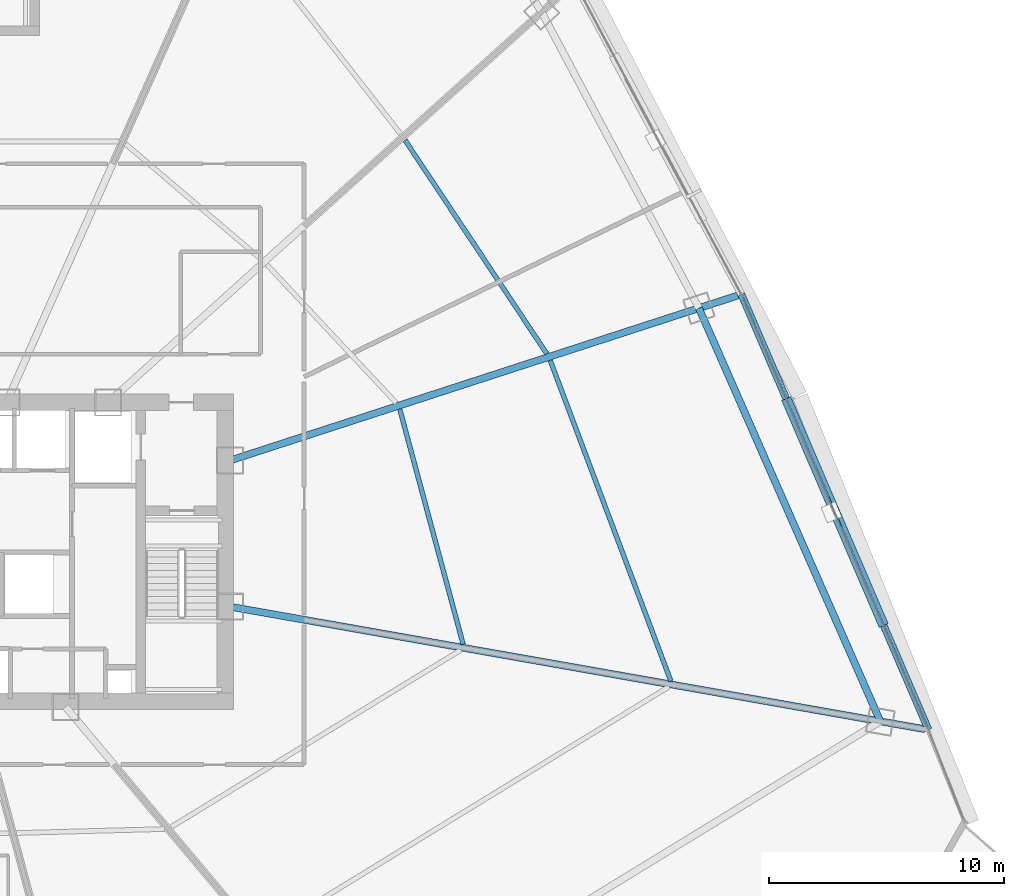
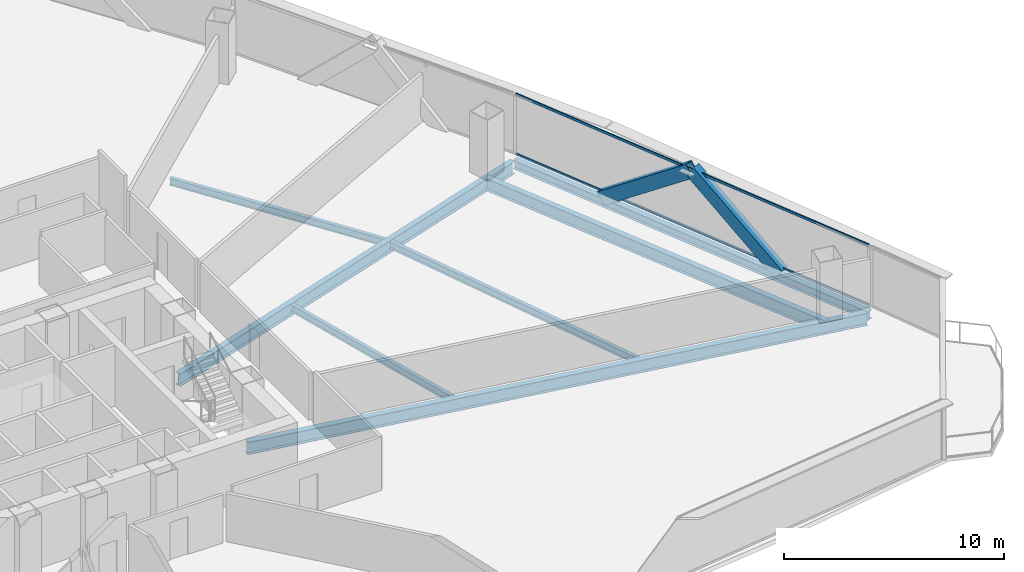
# One storey, part 22 of 38: 7 beams, 4 members, 1 element without a shape of its own.
"""IFC4 building model written with IfcOpenShell, lengths in metres."""

from ifc_helpers import new_model, si_unit, direction, frame, origin, origin_2d, place, context, subcontext, project, spatial, hollow_rectangle, i_section, extrude, source, transform, mapped, material, layer, layer_set, material_profile, profile_set, type_object, element, aggregate, save


model = new_model("IFC4")

# Units and contexts
model_context = context("Model", 3, precision=1e-05, world=origin(), true_north=direction((0.0, 1.0)))
body_context = subcontext(model_context, "Body", "Model", "MODEL_VIEW")
ifc_project = project(units=[si_unit("LENGTHUNIT", "METRE"), si_unit("AREAUNIT", "SQUARE_METRE"), si_unit("VOLUMEUNIT", "CUBIC_METRE"), si_unit("PLANEANGLEUNIT", "RADIAN"), si_unit("MASSUNIT", "GRAM", prefix="KILO"), si_unit("THERMODYNAMICTEMPERATUREUNIT", "KELVIN"), si_unit("POWERUNIT", "WATT")], contexts=[model_context])

# Site, building, storey
site_placement = place(None, origin())
site = spatial("IfcSite", under=ifc_project, at=site_placement, CompositionType="ELEMENT")
building_placement = place(site_placement, origin())
building = spatial("IfcBuilding", under=site, at=building_placement, Name="Yunzhuo Pagoda Commons", CompositionType="ELEMENT")
storey_placement = place(building_placement, frame((0.0, 0.0, 37.659912109375)))
storey = spatial("IfcBuildingStorey", under=building, at=storey_placement, Name="L09", CompositionType="ELEMENT", Elevation=37.659912109375)

# Beams
ifc_material_1 = material(Name="Structural steel Q355B", Category="steel")
ifc_material_profile_1 = material_profile(ifc_material_1, i_section(OverallWidth=0.300048828125, OverallDepth=0.699951171875, WebThickness=0.012939453125, FlangeThickness=0.02392578125, at=origin_2d()), Name="Structural steel Q355B")
ifc_profile_set_1 = profile_set([ifc_material_profile_1], Name="Structural steel Q355B")
beam_type_1 = type_object("IfcBeamType", Name="B-RG1 Beam HN 700x300x13x24", PredefinedType="BEAM", material=ifc_profile_set_1)
shared_shape_1 = source(origin(), body_context, "Body", "SweptSolid", [
    extrude(i_section(OverallWidth=0.300048828125, OverallDepth=0.699951171875, WebThickness=0.012939453125, FlangeThickness=0.02392578125, at=origin_2d()), origin(), (0.0, 0.0, 1.0), 19.18603515625),
])
beam_1_placement = place(storey_placement, frame((88.047607421875, 26.638427734375, -0.60986328125), z_axis=(-0.40196534204, 0.915654882474, 0.0), x_axis=(-0.915654882474, -0.40196534204, 0.0)))
element("IfcBeam", 1, at=beam_1_placement, inside=storey, type_object=beam_type_1, Name="L09 column-ring beam 5", PredefinedType="BEAM", context=body_context, shape_type="MappedRepresentation", body=[
    mapped(shared_shape_1, transform((0.0, 0.0, 0.0), scale=1.0)),
])
shared_shape_2 = source(origin(), body_context, "Body", "SweptSolid", [
    extrude(i_section(OverallWidth=0.300048828125, OverallDepth=0.699951171875, WebThickness=0.012939453125, FlangeThickness=0.02392578125, at=origin_2d()), origin(), (0.0, 0.0, 1.0), 30.001708984375),
])
beam_2_placement = place(storey_placement, frame((89.94580078125, 26.3037109375, -0.60986328125), z_axis=(-0.984807879934, 0.173647457857, 0.0), x_axis=(-0.173647457857, -0.984807879934, 0.0)))
element("IfcBeam", 2, at=beam_2_placement, inside=storey, type_object=beam_type_1, Name="L09 radial floor girder F2C1", PredefinedType="BEAM", context=body_context, shape_type="MappedRepresentation", body=[
    mapped(shared_shape_2, transform((0.0, 0.0, 0.0), scale=1.0)),
])
shared_shape_3 = source(origin(), body_context, "Body", "SweptSolid", [
    extrude(i_section(OverallWidth=0.300048828125, OverallDepth=0.699951171875, WebThickness=0.012939453125, FlangeThickness=0.02392578125, at=origin_2d()), origin(), (0.0, 0.0, 1.0), 22.70458984375),
])
beam_3_placement = place(storey_placement, frame((81.9931640625, 44.7451171875, -0.60986328125), z_axis=(-0.951056034213, -0.309018478068, 0.0), x_axis=(0.309018478068, -0.951056034213, 0.0)))
element("IfcBeam", 3, at=beam_3_placement, inside=storey, type_object=beam_type_1, Name="L09 radial floor girder F2C2", PredefinedType="BEAM", context=body_context, shape_type="MappedRepresentation", body=[
    mapped(shared_shape_3, transform((0.0, 0.0, 0.0), scale=1.0)),
])
ifc_material_profile_2 = material_profile(ifc_material_1, i_section(OverallWidth=0.300048828125, OverallDepth=0.488037109375, WebThickness=0.010986328125, FlangeThickness=0.01806640625, at=origin_2d()), Name="Structural steel Q355B")
ifc_profile_set_2 = profile_set([ifc_material_profile_2], Name="Structural steel Q355B")
beam_type_2 = type_object("IfcBeamType", Name="B-SP1 Beam HM 488x300x11x18", PredefinedType="BEAM", material=ifc_profile_set_2)
shared_shape_4 = source(origin(), body_context, "Body", "SweptSolid", [
    extrude(i_section(OverallWidth=0.300048828125, OverallDepth=0.488037109375, WebThickness=0.010986328125, FlangeThickness=0.01806640625, at=origin_2d()), origin(), (0.0, 0.0, 1.0), 20.153564453125),
])
beam_4_placement = place(storey_placement, frame((90.098388671875, 26.277099609375, -0.50390625), z_axis=(-0.39485772382, 0.918742280479, 0.0), x_axis=(-0.918742280479, -0.39485772382, 0.0)))
element("IfcBeam", 4, at=beam_4_placement, inside=storey, type_object=beam_type_2, Name="L09 facade edge spandrel beam F2.1", PredefinedType="BEAM", context=body_context, shape_type="MappedRepresentation", body=[
    mapped(shared_shape_4, transform((0.0, 0.0, 0.0), scale=1.0)),
])
ifc_material_profile_3 = material_profile(ifc_material_1, i_section(OverallWidth=0.199951171875, OverallDepth=0.39990234375, WebThickness=0.008056640625, FlangeThickness=0.012939453125, at=origin_2d()), Name="Structural steel Q355B")
ifc_profile_set_3 = profile_set([ifc_material_profile_3], Name="Structural steel Q355B")
beam_type_3 = type_object("IfcBeamType", Name="B-JS1 Joist HN 400x200x8x13", PredefinedType="JOIST", material=ifc_profile_set_3)
shared_shape_5 = source(origin(), body_context, "Body", "SweptSolid", [
    extrude(i_section(OverallWidth=0.199951171875, OverallDepth=0.39990234375, WebThickness=0.008056640625, FlangeThickness=0.012939453125, at=origin_2d()), origin(), (0.0, 0.0, 1.0), 10.351806640625),
])
beam_5_placement = place(storey_placement, frame((70.311767578125, 29.912109375, -0.4599609375), z_axis=(-0.260208595802, 0.965552425646, 0.0), x_axis=(-0.965552425646, -0.260208595802, 0.0)))
element("IfcBeam", 5, at=beam_5_placement, inside=storey, type_object=beam_type_3, Name="L09 composite ring joist 1.5", PredefinedType="JOIST", context=body_context, shape_type="MappedRepresentation", body=[
    mapped(shared_shape_5, transform((0.0, 0.0, 0.0), scale=1.0)),
])
shared_shape_6 = source(origin(), body_context, "Body", "SweptSolid", [
    extrude(i_section(OverallWidth=0.199951171875, OverallDepth=0.39990234375, WebThickness=0.008056640625, FlangeThickness=0.012939453125, at=origin_2d()), origin(), (0.0, 0.0, 1.0), 14.571044921875),
])
beam_6_placement = place(storey_placement, frame((79.144287109375, 28.347412109375, -0.4599609375), z_axis=(-0.352208383632, 0.935921607027, 0.0), x_axis=(-0.935921607027, -0.352208383632, 0.0)))
element("IfcBeam", 6, at=beam_6_placement, inside=storey, type_object=beam_type_3, Name="L09 composite ring joist 2.5", PredefinedType="JOIST", context=body_context, shape_type="MappedRepresentation", body=[
    mapped(shared_shape_6, transform((0.0, 0.0, 0.0), scale=1.0)),
])
shared_shape_7 = source(origin(), body_context, "Body", "SweptSolid", [
    extrude(i_section(OverallWidth=0.199951171875, OverallDepth=0.39990234375, WebThickness=0.008056640625, FlangeThickness=0.012939453125, at=origin_2d()), origin(), (0.0, 0.0, 1.0), 10.904052734375),
])
beam_7_placement = place(storey_placement, frame((73.8681640625, 42.26611328125, -0.4599609375), z_axis=(-0.552916349928, 0.833236767061, 0.0), x_axis=(-0.833236767061, -0.552916349928, 0.0)))
element("IfcBeam", 7, at=beam_7_placement, inside=storey, type_object=beam_type_3, Name="L09 composite ring joist 2.6", PredefinedType="JOIST", context=body_context, shape_type="MappedRepresentation", body=[
    mapped(shared_shape_7, transform((0.0, 0.0, 0.0), scale=1.0)),
])

# Members
ifc_material_2 = material(Name="Structural steel Q420B", Category="steel")
ifc_material_profile_4 = material_profile(ifc_material_2, hollow_rectangle(XDim=0.419921875, YDim=0.719970703125, WallThickness=0.028076171875, at=origin_2d()), Name="Structural steel Q420B")
ifc_profile_set_4 = profile_set([ifc_material_profile_4], Name="Structural steel Q420B")
member_type_1 = type_object("IfcMemberType", Name="M-DL1 Brace BOX 720x420x28", PredefinedType="BRACE", material=ifc_profile_set_4)
shared_shape_8 = source(origin(), body_context, "Body", "SweptSolid", [
    extrude(hollow_rectangle(XDim=0.419921875, YDim=0.719970703125, WallThickness=0.028076171875, at=origin_2d()), origin(), (0.0, 0.0, 1.0), 6.209716796875),
])
member_1_placement = place(storey_placement, frame((88.10888671875, 30.906005859375, -0.260009765625), z_axis=(-0.320341166989, 0.745418326719, 0.58457938291), x_axis=(-0.918753575597, -0.394831441665, 0.0)))
element("IfcMember", 8, at=member_1_placement, inside=storey, type_object=member_type_1, Name="L09 facade diamond brace F2.1L", PredefinedType="BRACE", context=body_context, shape_type="MappedRepresentation", body=[
    mapped(shared_shape_8, transform((0.0, 0.0, 0.0), scale=1.0)),
])
shared_shape_9 = source(origin(), body_context, "Body", "SweptSolid", [
    extrude(hollow_rectangle(XDim=0.419921875, YDim=0.719970703125, WallThickness=0.028076171875, at=origin_2d()), origin(), (0.0, 0.0, 1.0), 6.210205078125),
])
member_2_placement = place(storey_placement, frame((84.130126953125, 40.164306640625, -0.260009765625), z_axis=(0.32035767016, -0.745443875515, 0.584537758941), x_axis=(0.918751106015, 0.394837188214, 0.0)))
element("IfcMember", 9, at=member_2_placement, inside=storey, type_object=member_type_1, Name="L09 facade diamond brace F2.1R", PredefinedType="BRACE", context=body_context, shape_type="MappedRepresentation", body=[
    mapped(shared_shape_9, transform((0.0, 0.0, 0.0), scale=1.0)),
])

# Curtain wall, members
ifc_material_3 = material(Name="Anodized aluminium 6063-T6", Category="aluminium")
ifc_layer = layer(ifc_material_3, 0.1650390625)
ifc_layer_set = layer_set([ifc_layer], Name="Anodized aluminium 6063-T6")
curtain_wall_type = type_object("IfcCurtainWallType", Name="CW-LOW Low-Zone Ribbon Curtain Wall", PredefinedType="NOTDEFINED", material=ifc_layer_set)
curtain_wall_placement = place(storey_placement, origin())
curtain_wall = element("IfcCurtainWall", 10, at=curtain_wall_placement, inside=storey, type_object=curtain_wall_type, Name="L09 curtain wall CW-L09-F2B2", PredefinedType="NOTDEFINED")
ifc_material_profile_5 = material_profile(ifc_material_3, hollow_rectangle(XDim=0.06005859375, YDim=0.139892578125, WallThickness=0.00341796875, at=origin_2d()), Name="Anodized aluminium 6063-T6")
ifc_profile_set_5 = profile_set([ifc_material_profile_5], Name="Anodized aluminium 6063-T6")
member_type_2 = type_object("IfcMemberType", Name="CW-LOW-T Transom RHS 140x60x3.5", PredefinedType="USERDEFINED", material=ifc_profile_set_5)
shared_shape_10 = source(origin(), body_context, "Body", "SweptSolid", [
    extrude(hollow_rectangle(XDim=0.06005859375, YDim=0.139892578125, WallThickness=0.00341796875, at=origin_2d()), origin(), (0.0, 0.0, 1.0), 20.023681640625),
])
member_3_placement = place(storey_placement, frame((90.07275390625, 26.336669921875, 0.030029296875), z_axis=(-0.394854975911, 0.918743461473, 0.0), x_axis=(-0.918743461473, -0.394854975911, 0.0)))
member_3 = element("IfcMember", 11, at=member_3_placement, type_object=member_type_2, Name="CW transom 1.1", ObjectType="TRANSOM", PredefinedType="USERDEFINED", context=body_context, shape_type="MappedRepresentation", body=[
    mapped(shared_shape_10, transform((0.0, 0.0, 0.0), scale=1.0)),
])
member_4_placement = place(storey_placement, frame((90.07275390625, 26.336669921875, 3.340087890625), z_axis=(-0.394854975911, 0.918743461473, 0.0), x_axis=(-0.918743461473, -0.394854975911, 0.0)))
member_4 = element("IfcMember", 12, at=member_4_placement, type_object=member_type_2, Name="CW transom 1.2", ObjectType="TRANSOM", PredefinedType="USERDEFINED", context=body_context, shape_type="MappedRepresentation", body=[
    mapped(shared_shape_10, transform((0.0, 0.0, 0.0), scale=1.0)),
])
aggregate(curtain_wall, [member_3, member_4])

save(model, "model.ifc")
